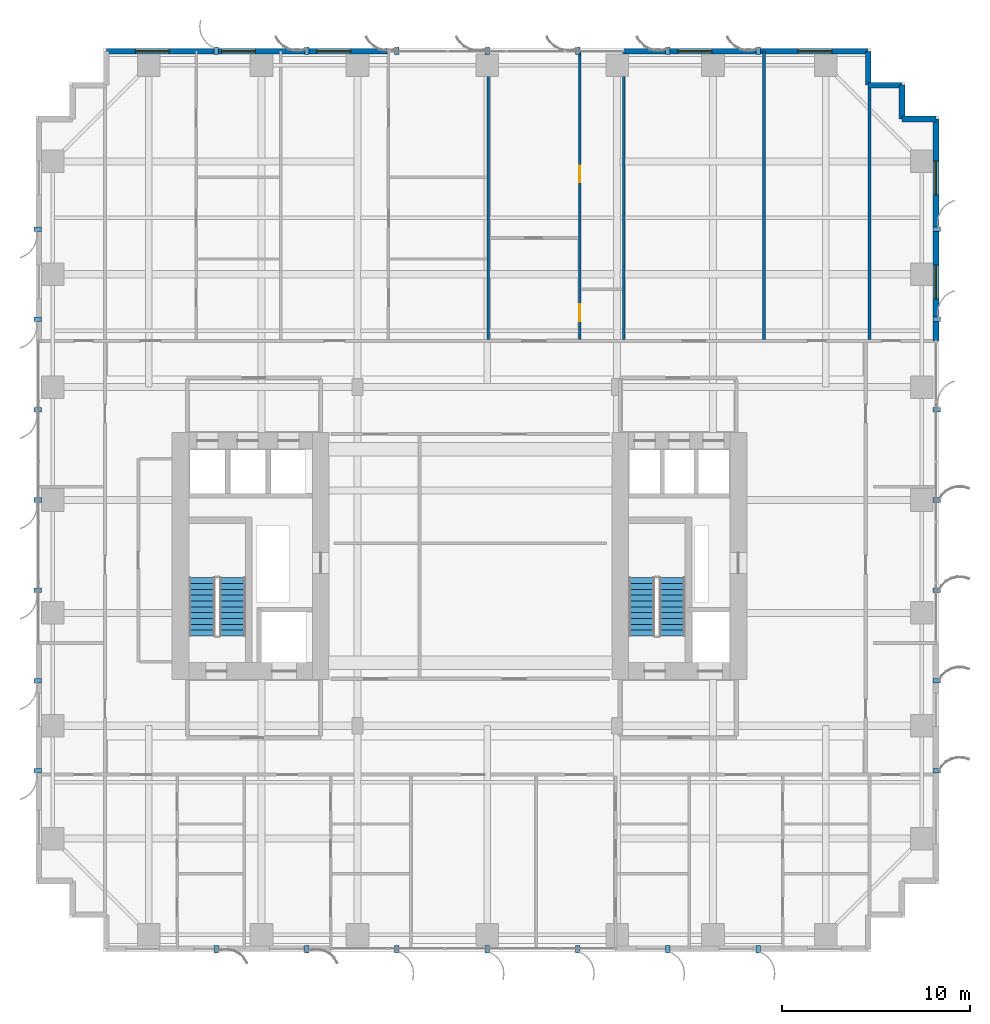
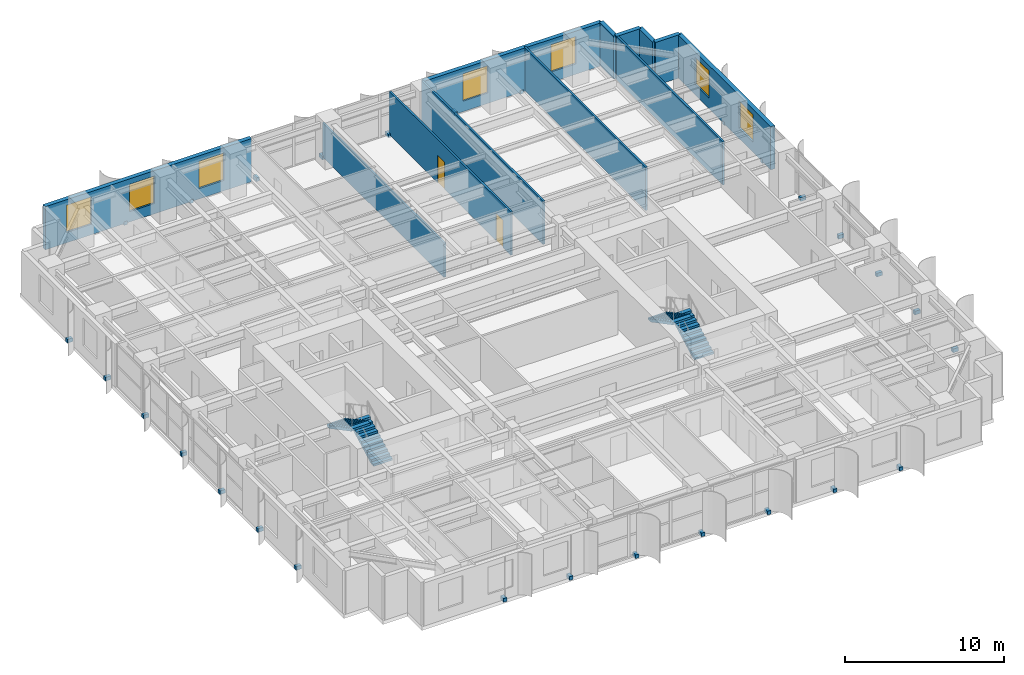
# One storey, part 19 of 23: 28 discrete accessories, 12 walls, 7 windows, 4 stair flights, 2 doors, 9 openings, 2 elements without a shape of their own.
"""IFC4 building model written with IfcOpenShell, lengths in metres."""

from ifc_helpers import new_model, si_unit, direction, frame, frame_2d, origin, origin_2d, place, context, subcontext, project, spatial, polyline, rectangle, outline, extrude, source, transform, mapped, material, layer, layer_set, type_object, element, fill, aggregate, save


model = new_model("IFC4")

# Units and contexts
model_context = context("Model", 3, precision=1e-05, world=origin(), true_north=direction((0.0, 1.0)))
body_context = subcontext(model_context, "Body", "Model", "MODEL_VIEW")
ifc_project = project(units=[si_unit("LENGTHUNIT", "METRE"), si_unit("AREAUNIT", "SQUARE_METRE"), si_unit("VOLUMEUNIT", "CUBIC_METRE"), si_unit("PLANEANGLEUNIT", "RADIAN"), si_unit("MASSUNIT", "GRAM", prefix="KILO")], contexts=[model_context])

# Site, building, storey
site_placement = place(None, origin())
site = spatial("IfcSite", under=ifc_project, at=site_placement, CompositionType="ELEMENT")
building_placement = place(site_placement, origin())
building = spatial("IfcBuilding", under=site, at=building_placement, Name="Khoralis Quay Care Tower", CompositionType="ELEMENT")
storey_placement = place(building_placement, frame((0.0, 0.0, 36.89990234375)))
storey = spatial("IfcBuildingStorey", under=building, at=storey_placement, Name="L09", CompositionType="ELEMENT", Elevation=36.89990234375)

# Wall, openings, windows
ifc_material_1 = material(Name="Precast concrete C45/55", Category="concrete")
ifc_layer_1 = layer(ifc_material_1, 0.300048828125)
ifc_layer_set_1 = layer_set([ifc_layer_1], Name="Precast concrete C45/55")
wall_type_1 = type_object("IfcWallType", Name="WL-EXT-REF-300", PredefinedType="SOLIDWALL", material=ifc_layer_set_1)
wall_1_placement = place(storey_placement, frame((47.85009765625, 32.4599609375, 0.0), z_axis=(0.0, 0.0, 1.0), x_axis=(0.0, 1.0, 0.0)))
wall_1 = element("IfcWall", 1, at=wall_1_placement, inside=storey, type_object=wall_type_1, Name="L09 External Facade Wall WL-EXT-L09-P1-E5B", PredefinedType="SOLIDWALL", context=body_context, shape_type="SweptSolid", body=[
    extrude(rectangle(XDim=11.7900390625, YDim=0.300048828125, at=frame_2d((5.89501953125, 0.0))), origin(), (0.0, 0.0, 1.0), 3.320068359375),
])
opening_1_placement = place(wall_1_placement, frame((2.2275390625, 0.0, 0.800048828125)))
opening_1 = element("IfcOpeningElement", 2, at=opening_1_placement, cuts=wall_1, Name="Opening W2", PredefinedType="OPENING", context=body_context, shape_type="SweptSolid", body=[
    extrude(rectangle(XDim=1.800048828125, YDim=2.10009765625, at=frame_2d((0.89990234375, 1.050048828125))), frame((0.0, 0.16015625, 0.0), z_axis=(0.0, -1.0, 0.0), x_axis=(1.0, 0.0, 0.0)), (0.0, 0.0, 1.0), 0.320068359375),
])
opening_2_placement = place(wall_1_placement, frame((7.762451171875, 0.0, 0.800048828125)))
opening_2 = element("IfcOpeningElement", 3, at=opening_2_placement, cuts=wall_1, Name="Opening W2", PredefinedType="OPENING", context=body_context, shape_type="SweptSolid", body=[
    extrude(rectangle(XDim=1.800048828125, YDim=2.10009765625, at=frame_2d((0.89990234375, 1.050048828125))), frame((0.0, 0.16015625, 0.0), z_axis=(0.0, -1.0, 0.0), x_axis=(1.0, 0.0, 0.0)), (0.0, 0.0, 1.0), 0.320068359375),
])
ifc_material_2 = material(Name="Low-E solar-control double glazing", Category="glass")
window_type = type_object("IfcWindowType", Name="WN-POD-1800X2100", PartitioningType="SINGLE_PANEL", PredefinedType="WINDOW", material=ifc_material_2)
shared_shape_1 = source(origin(), body_context, "Body", "SweptSolid", [
    extrude(rectangle(XDim=1.800048828125, YDim=2.10009765625, at=frame_2d((0.89990234375, 1.050048828125))), frame((0.0, 0.030029296875, 0.0), z_axis=(0.0, -1.0, 0.0), x_axis=(1.0, 0.0, 0.0)), (0.0, 0.0, 1.0), 0.06005859375),
])
window_1_placement = place(opening_1_placement, origin())
window_1 = element("IfcWindow", 4, at=window_1_placement, inside=storey, type_object=window_type, Name="WN-L09-P1-E5B Facade Window 01", OverallHeight=2.10009765625, OverallWidth=1.800048828125, PartitioningType="SINGLE_PANEL", PredefinedType="WINDOW", context=body_context, shape_type="MappedRepresentation", body=[
    mapped(shared_shape_1, transform((0.0, 0.0, 0.0), scale=1.0)),
])
fill(opening_1, window_1)
window_2_placement = place(opening_2_placement, origin())
window_2 = element("IfcWindow", 5, at=window_2_placement, inside=storey, type_object=window_type, Name="WN-L09-P1-E5B Facade Window 02", OverallHeight=2.10009765625, OverallWidth=1.800048828125, PartitioningType="SINGLE_PANEL", PredefinedType="WINDOW", context=body_context, shape_type="MappedRepresentation", body=[
    mapped(shared_shape_1, transform((0.0, 0.0, 0.0), scale=1.0)),
])
fill(opening_2, window_2)

# Walls
for number, where, z_axis, x_axis, name in (
    (6, (47.85009765625, 44.25, 0.0), (0.0, 0.0, 1.0), (-1.0, 0.0, 0.0), "L09 External Facade Wall WL-EXT-L09-P1-C6"),
    (7, (46.050048828125, 44.25, 0.0), (0.0, 0.0, 1.0), (0.0, 1.0, 0.0), "L09 External Facade Wall WL-EXT-L09-P1-C7"),
    (8, (46.050048828125, 46.050048828125, 0.0), (0.0, 0.0, 1.0), (-1.0, 0.0, 0.0), "L09 External Facade Wall WL-EXT-L09-P1-C8"),
    (9, (44.25, 46.050048828125, 0.0), (0.0, 0.0, 1.0), (0.0, 1.0, 0.0), "L09 External Facade Wall WL-EXT-L09-P1-C9"),
):
    element("IfcWall", number, at=place(storey_placement, frame(where, z_axis=z_axis, x_axis=x_axis)), inside=storey, type_object=wall_type_1, Name=name, PredefinedType="SOLIDWALL", context=body_context, shape_type="SweptSolid", body=[
        extrude(rectangle(XDim=1.800048828125, YDim=0.300048828125, at=frame_2d((0.89990234375, 0.0))), origin(), (0.0, 0.0, 1.0), 3.320068359375),
    ])

# Wall, openings, windows
wall_2_placement = place(storey_placement, frame((44.25, 47.85009765625, 0.0), z_axis=(0.0, 0.0, 1.0), x_axis=(-1.0, 0.0, 0.0)))
wall_2 = element("IfcWall", 10, at=wall_2_placement, inside=storey, type_object=wall_type_1, Name="L09 External Facade Wall WL-EXT-L09-P1-E10A", PredefinedType="SOLIDWALL", context=body_context, shape_type="SweptSolid", body=[
    extrude(rectangle(XDim=12.989990234375, YDim=0.300048828125, at=frame_2d((6.4951171875, 0.0))), origin(), (0.0, 0.0, 1.0), 3.320068359375),
])
opening_3_placement = place(wall_2_placement, frame((1.919921875, 0.0, 0.800048828125)))
opening_3 = element("IfcOpeningElement", 11, at=opening_3_placement, cuts=wall_2, Name="Opening W2", PredefinedType="OPENING", context=body_context, shape_type="SweptSolid", body=[
    extrude(rectangle(XDim=1.800048828125, YDim=2.10009765625, at=frame_2d((0.89990234375, 1.050048828125))), frame((0.0, 0.16015625, 0.0), z_axis=(0.0, -1.0, 0.0), x_axis=(1.0, 0.0, 0.0)), (0.0, 0.0, 1.0), 0.320068359375),
])
opening_4_placement = place(wall_2_placement, frame((8.31494140625, 0.0, 0.800048828125)))
opening_4 = element("IfcOpeningElement", 12, at=opening_4_placement, cuts=wall_2, Name="Opening W2", PredefinedType="OPENING", context=body_context, shape_type="SweptSolid", body=[
    extrude(rectangle(XDim=1.800048828125, YDim=2.10009765625, at=frame_2d((0.89990234375, 1.050048828125))), frame((0.0, 0.16015625, 0.0), z_axis=(0.0, -1.0, 0.0), x_axis=(1.0, 0.0, 0.0)), (0.0, 0.0, 1.0), 0.320068359375),
])
window_3_placement = place(opening_3_placement, origin())
window_3 = element("IfcWindow", 13, at=window_3_placement, inside=storey, type_object=window_type, Name="WN-L09-P1-E10A Facade Window 01", OverallHeight=2.10009765625, OverallWidth=1.800048828125, PartitioningType="SINGLE_PANEL", PredefinedType="WINDOW", context=body_context, shape_type="MappedRepresentation", body=[
    mapped(shared_shape_1, transform((0.0, 0.0, 0.0), scale=1.0)),
])
fill(opening_3, window_3)
window_4_placement = place(opening_4_placement, origin())
window_4 = element("IfcWindow", 14, at=window_4_placement, inside=storey, type_object=window_type, Name="WN-L09-P1-E10A Facade Window 02", OverallHeight=2.10009765625, OverallWidth=1.800048828125, PartitioningType="SINGLE_PANEL", PredefinedType="WINDOW", context=body_context, shape_type="MappedRepresentation", body=[
    mapped(shared_shape_1, transform((0.0, 0.0, 0.0), scale=1.0)),
])
fill(opening_4, window_4)

wall_3_placement = place(storey_placement, frame((18.756103515625, 47.85009765625, 0.0), z_axis=(0.0, 0.0, 1.0), x_axis=(-1.0, 0.0, 0.0)))
wall_3 = element("IfcWall", 15, at=wall_3_placement, inside=storey, type_object=wall_type_1, Name="L09 External Facade Wall WL-EXT-L09-P1-E10B", PredefinedType="SOLIDWALL", context=body_context, shape_type="SweptSolid", body=[
    extrude(rectangle(XDim=15.006103515625, YDim=0.300048828125, at=frame_2d((7.5029296875, 0.0))), origin(), (0.0, 0.0, 1.0), 3.320068359375),
])
opening_5_placement = place(wall_3_placement, frame((2.01806640625, 0.0, 0.800048828125)))
opening_5 = element("IfcOpeningElement", 16, at=opening_5_placement, cuts=wall_3, Name="Opening W2", PredefinedType="OPENING", context=body_context, shape_type="SweptSolid", body=[
    extrude(rectangle(XDim=1.800048828125, YDim=2.10009765625, at=frame_2d((0.89990234375, 1.050048828125))), frame((0.0, 0.16015625, 0.0), z_axis=(0.0, -1.0, 0.0), x_axis=(1.0, 0.0, 0.0)), (0.0, 0.0, 1.0), 0.320068359375),
])
opening_6_placement = place(wall_3_placement, frame((7.077392578125, 0.0, 0.800048828125)))
opening_6 = element("IfcOpeningElement", 17, at=opening_6_placement, cuts=wall_3, Name="Opening W2", PredefinedType="OPENING", context=body_context, shape_type="SweptSolid", body=[
    extrude(rectangle(XDim=1.800048828125, YDim=2.10009765625, at=frame_2d((0.89990234375, 1.050048828125))), frame((0.0, 0.16015625, 0.0), z_axis=(0.0, -1.0, 0.0), x_axis=(1.0, 0.0, 0.0)), (0.0, 0.0, 1.0), 0.320068359375),
])
opening_7_placement = place(wall_3_placement, frame((11.66259765625, 0.0, 0.800048828125)))
opening_7 = element("IfcOpeningElement", 18, at=opening_7_placement, cuts=wall_3, Name="Opening W2", PredefinedType="OPENING", context=body_context, shape_type="SweptSolid", body=[
    extrude(rectangle(XDim=1.800048828125, YDim=2.10009765625, at=frame_2d((0.89990234375, 1.050048828125))), frame((0.0, 0.16015625, 0.0), z_axis=(0.0, -1.0, 0.0), x_axis=(1.0, 0.0, 0.0)), (0.0, 0.0, 1.0), 0.320068359375),
])
window_5_placement = place(opening_5_placement, origin())
window_5 = element("IfcWindow", 19, at=window_5_placement, inside=storey, type_object=window_type, Name="WN-L09-P1-E10B Facade Window 01", OverallHeight=2.10009765625, OverallWidth=1.800048828125, PartitioningType="SINGLE_PANEL", PredefinedType="WINDOW", context=body_context, shape_type="MappedRepresentation", body=[
    mapped(shared_shape_1, transform((0.0, 0.0, 0.0), scale=1.0)),
])
fill(opening_5, window_5)
window_6_placement = place(opening_6_placement, origin())
window_6 = element("IfcWindow", 20, at=window_6_placement, inside=storey, type_object=window_type, Name="WN-L09-P1-E10B Facade Window 02", OverallHeight=2.10009765625, OverallWidth=1.800048828125, PartitioningType="SINGLE_PANEL", PredefinedType="WINDOW", context=body_context, shape_type="MappedRepresentation", body=[
    mapped(shared_shape_1, transform((0.0, 0.0, 0.0), scale=1.0)),
])
fill(opening_6, window_6)
window_7_placement = place(opening_7_placement, origin())
window_7 = element("IfcWindow", 21, at=window_7_placement, inside=storey, type_object=window_type, Name="WN-L09-P1-E10B Facade Window 03", OverallHeight=2.10009765625, OverallWidth=1.800048828125, PartitioningType="SINGLE_PANEL", PredefinedType="WINDOW", context=body_context, shape_type="MappedRepresentation", body=[
    mapped(shared_shape_1, transform((0.0, 0.0, 0.0), scale=1.0)),
])
fill(opening_7, window_7)

# Wall, openings, doors
ifc_material_3 = material(Name="Moisture-resistant gypsum and ceramic tile")
ifc_layer_2 = layer(ifc_material_3, 0.280029296875)
ifc_layer_set_2 = layer_set([ifc_layer_2], Name="Moisture-resistant gypsum and ceramic tile")
wall_type_2 = type_object("IfcWallType", Name="WL-PLUMB-280", PredefinedType="PLUMBINGWALL", material=ifc_layer_set_2)
wall_4_placement = place(storey_placement, frame((28.909912109375, 32.53759765625, 0.0), z_axis=(0.0, 0.0, 1.0), x_axis=(0.0, 1.0, 0.0)))
wall_4 = element("IfcWall", 22, at=wall_4_placement, inside=storey, type_object=wall_type_2, Name="L09 Care Suite 2 En-Suite Wall V", PredefinedType="PLUMBINGWALL", context=body_context, shape_type="SweptSolid", body=[
    extrude(rectangle(XDim=15.3173828125, YDim=0.139892578125, at=frame_2d((7.65869140625, 0.0))), origin(), (0.0, 0.0, 1.0), 3.320068359375),
])
opening_8_placement = place(wall_4_placement, frame((0.96240234375, 0.0, 0.0)))
opening_8 = element("IfcOpeningElement", 23, at=opening_8_placement, cuts=wall_4, Name="Opening WD1", PredefinedType="OPENING", context=body_context, shape_type="SweptSolid", body=[
    extrude(rectangle(XDim=0.89990234375, YDim=2.10009765625, at=frame_2d((0.449951171875, 1.050048828125))), frame((0.0, 0.080078125, 0.0), z_axis=(0.0, -1.0, 0.0), x_axis=(1.0, 0.0, 0.0)), (0.0, 0.0, 1.0), 0.159912109375),
])
opening_9_placement = place(wall_4_placement, frame((8.342529296875, 0.0, 0.0)))
opening_9 = element("IfcOpeningElement", 24, at=opening_9_placement, cuts=wall_4, Name="Opening WD1", PredefinedType="OPENING", context=body_context, shape_type="SweptSolid", body=[
    extrude(rectangle(XDim=0.89990234375, YDim=2.10009765625, at=frame_2d((0.449951171875, 1.050048828125))), frame((0.0, 0.080078125, 0.0), z_axis=(0.0, -1.0, 0.0), x_axis=(1.0, 0.0, 0.0)), (0.0, 0.0, 1.0), 0.159912109375),
])
ifc_material_4 = material(Name="Acoustic hardwood timber", Category="wood")
door_type = type_object("IfcDoorType", Name="DR-BATH-900X2100", OperationType="NOTDEFINED", PredefinedType="DOOR", material=ifc_material_4)
shared_shape_2 = source(origin(), body_context, "Body", "SweptSolid", [
    extrude(rectangle(XDim=0.89990234375, YDim=2.10009765625, at=frame_2d((0.449951171875, 1.050048828125))), frame((0.0, 0.02490234375, 0.0), z_axis=(0.0, -1.0, 0.0), x_axis=(1.0, 0.0, 0.0)), (0.0, 0.0, 1.0), 0.050048828125),
])
door_1_placement = place(opening_8_placement, frame((0.89990234375, 0.0, 0.0), z_axis=(0.0, 0.0, 1.0), x_axis=(-1.0, 0.0, 0.0)))
door_1 = element("IfcDoor", 25, at=door_1_placement, inside=storey, type_object=door_type, Name="L09 Care CENS Door", OperationType="SINGLE_SWING_RIGHT", OverallHeight=2.10009765625, OverallWidth=0.89990234375, PredefinedType="DOOR", context=body_context, shape_type="MappedRepresentation", body=[
    mapped(shared_shape_2, transform((0.0, 0.0, 0.0), scale=1.0)),
])
fill(opening_8, door_1)
door_2_placement = place(opening_9_placement, frame((0.89990234375, 0.0, 0.0), z_axis=(0.0, 0.0, 1.0), x_axis=(-1.0, 0.0, 0.0)))
door_2 = element("IfcDoor", 26, at=door_2_placement, inside=storey, type_object=door_type, Name="L09 Care CSIT Door", OperationType="SINGLE_SWING_LEFT", OverallHeight=2.10009765625, OverallWidth=0.89990234375, PredefinedType="DOOR", context=body_context, shape_type="MappedRepresentation", body=[
    mapped(shared_shape_2, transform((0.0, 0.0, 0.0), scale=1.0)),
])
fill(opening_9, door_2)

# Walls
ifc_material_5 = material(Name="Gypsum plasterboard on acoustic metal stud")
ifc_layer_3 = layer(ifc_material_5, 0.139892578125)
ifc_layer_set_3 = layer_set([ifc_layer_3], Name="Gypsum plasterboard on acoustic metal stud")
wall_type_3 = type_object("IfcWallType", Name="WL-UNIT-140", PredefinedType="PARTITIONING", material=ifc_layer_set_3)
wall_5_placement = place(storey_placement, frame((24.050048828125, 32.53759765625, 0.0), z_axis=(0.0, 0.0, 1.0), x_axis=(0.0, 1.0, 0.0)))
element("IfcWall", 27, at=wall_5_placement, inside=storey, type_object=wall_type_3, Name="L09 NB Demising Wall 2", PredefinedType="PARTITIONING", context=body_context, shape_type="SweptSolid", body=[
    extrude(rectangle(XDim=15.3173828125, YDim=0.139892578125, at=frame_2d((7.65869140625, 0.0))), origin(), (0.0, 0.0, 1.0), 2.625),
])
for number, where, z_axis, x_axis, name in (
    (28, (31.260009765625, 32.53759765625, 0.0), (0.0, 0.0, 1.0), (0.0, 1.0, 0.0), "L09 NB Demising Wall 3"),
    (29, (38.7099609375, 32.53759765625, 0.0), (0.0, 0.0, 1.0), (0.0, 1.0, 0.0), "L09 NB Demising Wall 4"),
):
    element("IfcWall", number, at=place(storey_placement, frame(where, z_axis=z_axis, x_axis=x_axis)), inside=storey, type_object=wall_type_3, Name=name, PredefinedType="PARTITIONING", context=body_context, shape_type="SweptSolid", body=[
        extrude(rectangle(XDim=15.3173828125, YDim=0.139892578125, at=frame_2d((7.65869140625, 0.0))), origin(), (0.0, 0.0, 1.0), 3.320068359375),
    ])
wall_6_placement = place(storey_placement, frame((44.320068359375, 32.53759765625, 0.0), z_axis=(0.0, 0.0, 1.0), x_axis=(0.0, 1.0, 0.0)))
element("IfcWall", 30, at=wall_6_placement, inside=storey, type_object=wall_type_3, Name="L09 NB Demising Wall 5", PredefinedType="PARTITIONING", context=body_context, shape_type="SweptSolid", body=[
    extrude(rectangle(XDim=13.517333984375, YDim=0.139892578125, at=frame_2d((6.7587890625, 0.0))), origin(), (0.0, 0.0, 1.0), 3.320068359375),
])

# Stair, stair flights
stair_type = type_object("IfcStairType", Name="ST-TWR-DOGLEG-1400", PredefinedType="HALF_TURN_STAIR", material=ifc_material_1)
stair_1_placement = place(storey_placement, origin())
stair_1 = element("IfcStair", 31, at=stair_1_placement, inside=storey, type_object=stair_type, Name="L09 West Core Exit Stair ST-T1", PredefinedType="HALF_TURN_STAIR")
stair_flight_type = type_object("IfcStairFlightType", Name="SF-TWR-1400", PredefinedType="STRAIGHT", material=ifc_material_1)
shared_shape_3 = source(origin(), body_context, "Body", "SweptSolid", [
    extrude(outline(polyline([(0.0, 0.0), (0.0, 0.16357421875), (0.31005859375, 0.16357421875), (0.31005859375, 0.327392578125), (0.6201171875, 0.327392578125), (0.6201171875, 0.490966796875), (0.929931640625, 0.490966796875), (0.929931640625, 0.654541015625), (1.239990234375, 0.654541015625), (1.239990234375, 0.818115234375), (1.550048828125, 0.818115234375), (1.550048828125, 0.98193359375), (1.860107421875, 0.98193359375), (1.860107421875, 1.1455078125), (2.169921875, 1.1455078125), (2.169921875, 1.30908203125), (2.47998046875, 1.30908203125), (2.47998046875, 1.47265625), (2.7900390625, 1.47265625), (2.7900390625, 1.636474609375), (3.10009765625, 1.636474609375), (3.10009765625, 1.800048828125), (3.10009765625, 1.466796875), (0.321044921875, 0.0), (0.0, 0.0)])), frame((0.0, 0.68994140625, 0.0), z_axis=(0.0, -1.0, 0.0), x_axis=(1.0, 0.0, 0.0)), (0.0, 0.0, 1.0), 1.3798828125),
])
stair_flight_1_placement = place(storey_placement, frame((10.4599609375, 16.77001953125, 0.0), z_axis=(0.0, 0.0, 1.0), x_axis=(0.0, 1.0, 0.0)))
stair_flight_1 = element("IfcStairFlight", 32, at=stair_flight_1_placement, type_object=stair_flight_type, Name="ST-T1 flight 1", NumberOfRisers=11, NumberOfTreads=10, PredefinedType="STRAIGHT", RiserHeight=0.163636364, TreadLength=0.31, context=body_context, shape_type="MappedRepresentation", body=[
    mapped(shared_shape_3, transform((0.0, 0.0, 0.0), scale=1.0)),
])
stair_flight_2_placement = place(storey_placement, frame((8.840087890625, 19.8701171875, 1.800048828125), z_axis=(0.0, 0.0, 1.0), x_axis=(0.0, -1.0, 0.0)))
stair_flight_2 = element("IfcStairFlight", 33, at=stair_flight_2_placement, type_object=stair_flight_type, Name="ST-T1 flight 2", NumberOfRisers=11, NumberOfTreads=10, PredefinedType="STRAIGHT", RiserHeight=0.163636364, TreadLength=0.31, context=body_context, shape_type="MappedRepresentation", body=[
    mapped(shared_shape_3, transform((0.0, 0.0, 0.0), scale=1.0)),
])
aggregate(stair_1, [stair_flight_1, stair_flight_2])

stair_2_placement = place(storey_placement, origin())
stair_2 = element("IfcStair", 34, at=stair_2_placement, inside=storey, type_object=stair_type, Name="L09 East Core Exit Stair ST-T2", PredefinedType="HALF_TURN_STAIR")
stair_flight_3_placement = place(storey_placement, frame((33.830078125, 16.77001953125, 0.0), z_axis=(0.0, 0.0, 1.0), x_axis=(0.0, 1.0, 0.0)))
stair_flight_3 = element("IfcStairFlight", 35, at=stair_flight_3_placement, type_object=stair_flight_type, Name="ST-T2 flight 1", NumberOfRisers=11, NumberOfTreads=10, PredefinedType="STRAIGHT", RiserHeight=0.163636364, TreadLength=0.31, context=body_context, shape_type="MappedRepresentation", body=[
    mapped(shared_shape_3, transform((0.0, 0.0, 0.0), scale=1.0)),
])
stair_flight_4_placement = place(storey_placement, frame((32.2099609375, 19.8701171875, 1.800048828125), z_axis=(0.0, 0.0, 1.0), x_axis=(0.0, -1.0, 0.0)))
stair_flight_4 = element("IfcStairFlight", 36, at=stair_flight_4_placement, type_object=stair_flight_type, Name="ST-T2 flight 2", NumberOfRisers=11, NumberOfTreads=10, PredefinedType="STRAIGHT", RiserHeight=0.163636364, TreadLength=0.31, context=body_context, shape_type="MappedRepresentation", body=[
    mapped(shared_shape_3, transform((0.0, 0.0, 0.0), scale=1.0)),
])
aggregate(stair_2, [stair_flight_3, stair_flight_4])

# Discrete accessories
ifc_material_6 = material(Name="Brushed stainless steel", Category="steel")
discrete_accessory_type = type_object("IfcDiscreteAccessoryType", Name="ACC-FIN-BRACKET", PredefinedType="BRACKET", material=ifc_material_6)
shared_shape_4 = source(origin(), body_context, "Body", "SweptSolid", [
    extrude(rectangle(XDim=0.39990234375, YDim=0.239990234375, at=origin_2d()), origin(), (0.0, 0.0, 1.0), 0.280029296875),
])
for number, where, z_axis, x_axis, name in (
    (37, (9.60009765625, 0.110107421875, -0.1201171875), (0.0, 0.0, 1.0), (0.0, -1.0, 0.0), "L09 Solar Fin Bracket P1E0-01"),
    (38, (14.39990234375, 0.110107421875, -0.1201171875), (0.0, 0.0, 1.0), (0.0, -1.0, 0.0), "L09 Solar Fin Bracket P1E0-02"),
    (39, (19.199951171875, 0.110107421875, -0.1201171875), (0.0, 0.0, 1.0), (0.0, -1.0, 0.0), "L09 Solar Fin Bracket P1E0-03"),
    (40, (24.0, 0.110107421875, -0.1201171875), (0.0, 0.0, 1.0), (0.0, -1.0, 0.0), "L09 Solar Fin Bracket P1E0-04"),
    (41, (28.800048828125, 0.110107421875, -0.1201171875), (0.0, 0.0, 1.0), (0.0, -1.0, 0.0), "L09 Solar Fin Bracket P1E0-05"),
    (42, (33.60009765625, 0.110107421875, -0.1201171875), (0.0, 0.0, 1.0), (0.0, -1.0, 0.0), "L09 Solar Fin Bracket P1E0-06"),
    (43, (38.39990234375, 0.110107421875, -0.1201171875), (0.0, 0.0, 1.0), (0.0, -1.0, 0.0), "L09 Solar Fin Bracket P1E0-07"),
    (44, (47.889892578125, 9.60009765625, -0.1201171875), (0.0, 0.0, 1.0), (1.0, 0.0, 0.0), "L09 Solar Fin Bracket P1E5-01"),
    (45, (47.889892578125, 14.39990234375, -0.1201171875), (0.0, 0.0, 1.0), (1.0, 0.0, 0.0), "L09 Solar Fin Bracket P1E5-02"),
    (46, (47.889892578125, 19.199951171875, -0.1201171875), (0.0, 0.0, 1.0), (1.0, 0.0, 0.0), "L09 Solar Fin Bracket P1E5-03"),
    (47, (47.889892578125, 24.0, -0.1201171875), (0.0, 0.0, 1.0), (1.0, 0.0, 0.0), "L09 Solar Fin Bracket P1E5-04"),
    (48, (47.889892578125, 28.800048828125, -0.1201171875), (0.0, 0.0, 1.0), (1.0, 0.0, 0.0), "L09 Solar Fin Bracket P1E5-05"),
    (49, (47.889892578125, 33.60009765625, -0.1201171875), (0.0, 0.0, 1.0), (1.0, 0.0, 0.0), "L09 Solar Fin Bracket P1E5-06"),
    (50, (47.889892578125, 38.39990234375, -0.1201171875), (0.0, 0.0, 1.0), (1.0, 0.0, 0.0), "L09 Solar Fin Bracket P1E5-07"),
    (51, (38.39990234375, 47.889892578125, -0.1201171875), (0.0, 0.0, 1.0), (0.0, 1.0, 0.0), "L09 Solar Fin Bracket P1E10-01"),
    (52, (33.60009765625, 47.889892578125, -0.1201171875), (0.0, 0.0, 1.0), (0.0, 1.0, 0.0), "L09 Solar Fin Bracket P1E10-02"),
    (53, (28.800048828125, 47.889892578125, -0.1201171875), (0.0, 0.0, 1.0), (0.0, 1.0, 0.0), "L09 Solar Fin Bracket P1E10-03"),
    (54, (24.0, 47.889892578125, -0.1201171875), (0.0, 0.0, 1.0), (0.0, 1.0, 0.0), "L09 Solar Fin Bracket P1E10-04"),
    (55, (19.199951171875, 47.889892578125, -0.1201171875), (0.0, 0.0, 1.0), (0.0, 1.0, 0.0), "L09 Solar Fin Bracket P1E10-05"),
    (56, (14.39990234375, 47.889892578125, -0.1201171875), (0.0, 0.0, 1.0), (0.0, 1.0, 0.0), "L09 Solar Fin Bracket P1E10-06"),
    (57, (9.60009765625, 47.889892578125, -0.1201171875), (0.0, 0.0, 1.0), (0.0, 1.0, 0.0), "L09 Solar Fin Bracket P1E10-07"),
    (58, (0.110107421875, 38.39990234375, -0.1201171875), (0.0, 0.0, 1.0), (-1.0, 0.0, 0.0), "L09 Solar Fin Bracket P1E15-01"),
    (59, (0.110107421875, 33.60009765625, -0.1201171875), (0.0, 0.0, 1.0), (-1.0, 0.0, 0.0), "L09 Solar Fin Bracket P1E15-02"),
    (60, (0.110107421875, 28.800048828125, -0.1201171875), (0.0, 0.0, 1.0), (-1.0, 0.0, 0.0), "L09 Solar Fin Bracket P1E15-03"),
    (61, (0.110107421875, 24.0, -0.1201171875), (0.0, 0.0, 1.0), (-1.0, 0.0, 0.0), "L09 Solar Fin Bracket P1E15-04"),
    (62, (0.110107421875, 19.199951171875, -0.1201171875), (0.0, 0.0, 1.0), (-1.0, 0.0, 0.0), "L09 Solar Fin Bracket P1E15-05"),
    (63, (0.110107421875, 14.39990234375, -0.1201171875), (0.0, 0.0, 1.0), (-1.0, 0.0, 0.0), "L09 Solar Fin Bracket P1E15-06"),
    (64, (0.110107421875, 9.60009765625, -0.1201171875), (0.0, 0.0, 1.0), (-1.0, 0.0, 0.0), "L09 Solar Fin Bracket P1E15-07"),
):
    element("IfcDiscreteAccessory", number, at=place(storey_placement, frame(where, z_axis=z_axis, x_axis=x_axis)), inside=storey, type_object=discrete_accessory_type, Name=name, PredefinedType="BRACKET", context=body_context, shape_type="MappedRepresentation", body=[
        mapped(shared_shape_4, transform((0.0, 0.0, 0.0), scale=1.0)),
    ])

save(model, "model.ifc")
